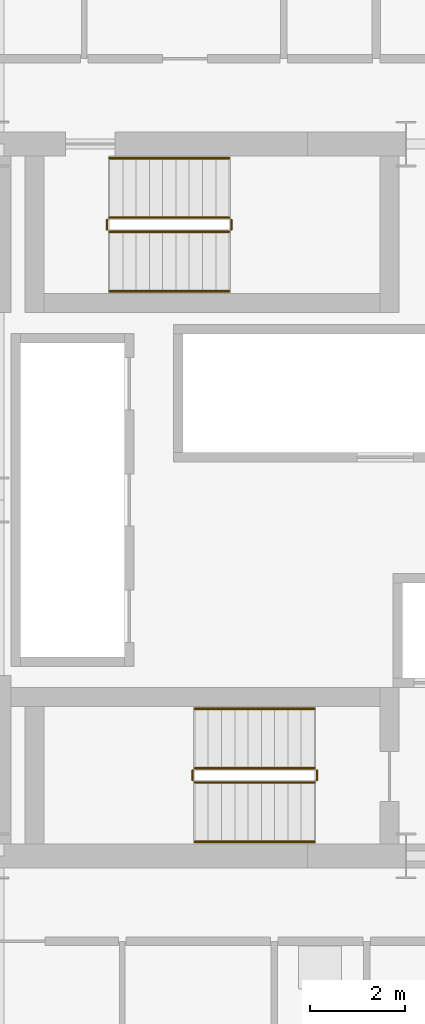
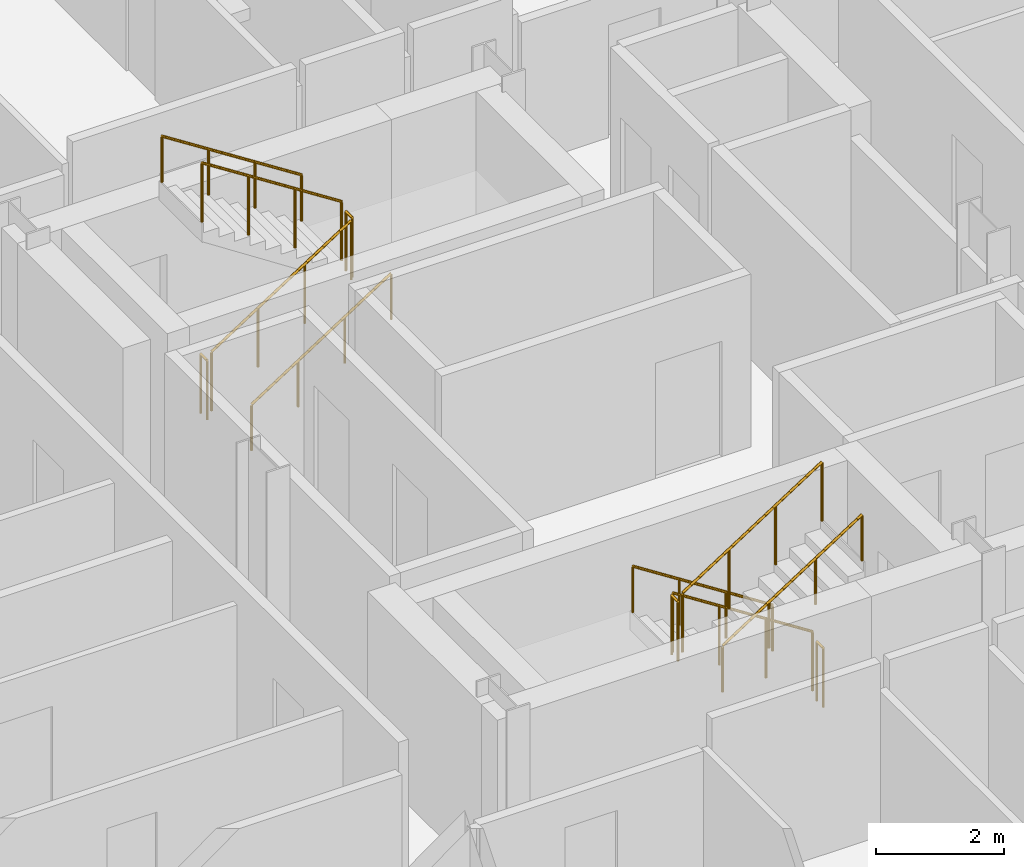
# One storey, part 23 of 24: 12 railings.
"""IFC4 building model written with IfcOpenShell, lengths in metres."""

from ifc_helpers import new_model, si_unit, direction, frame, origin, origin_2d, place, context, subcontext, project, spatial, circle, extrude, material, type_object, element, save


model = new_model("IFC4")

# Units and contexts
model_context = context("Model", 3, precision=1e-05, world=origin(), true_north=direction((0.0, 1.0)))
body_context = subcontext(model_context, "Body", "Model", "MODEL_VIEW")
ifc_project = project(units=[si_unit("LENGTHUNIT", "METRE"), si_unit("AREAUNIT", "SQUARE_METRE"), si_unit("VOLUMEUNIT", "CUBIC_METRE"), si_unit("PLANEANGLEUNIT", "RADIAN"), si_unit("MASSUNIT", "GRAM", prefix="KILO")], contexts=[model_context])

# Site, building, storey
site_placement = place(None, origin())
site = spatial("IfcSite", under=ifc_project, at=site_placement, CompositionType="ELEMENT")
building_placement = place(site_placement, origin())
building = spatial("IfcBuilding", under=site, at=building_placement, Name="Barlavira Tower and Art Museum", CompositionType="ELEMENT")
storey_placement = place(building_placement, frame((0.0, 0.0, 90.0)))
storey = spatial("IfcBuildingStorey", under=building, at=storey_placement, Name="L22", CompositionType="ELEMENT", Elevation=90.0)

# Railings
ifc_material = material(Name="Brushed stainless steel", Category="steel")
railing_type_1 = type_object("IfcRailingType", Name="Interior Void and Landing Guard Railing 1150", PredefinedType="GUARDRAIL", material=ifc_material)
railing_1_placement = place(storey_placement, frame((0.14990234375, -5.64990234375, 0.179931640625)))
element("IfcRailing", 1, at=railing_1_placement, inside=storey, type_object=railing_type_1, Name="L22 ST-T1 stair guard 1", PredefinedType="GUARDRAIL", context=body_context, shape_type="SweptSolid", body=[
    extrude(circle(Radius=0.02392578125, at=origin_2d()), frame((0.0, 0.0, 1.1259765625), z_axis=(-0.841162588446, 0.0, 0.540782303519), x_axis=(0.0, -1.0, 0.0)), (0.0, 0.0, 1.0), 2.995849609375),
    extrude(circle(Radius=0.02099609375, at=origin_2d()), origin(), (0.0, 0.0, 1.0), 1.101806640625),
    extrude(circle(Radius=0.02099609375, at=origin_2d()), frame((-0.840087890625, 0.0, 0.5400390625)), (0.0, 0.0, 1.0), 1.101806640625),
    extrude(circle(Radius=0.02099609375, at=origin_2d()), frame((-1.679931640625, 0.0, 1.080078125)), (0.0, 0.0, 1.0), 1.101806640625),
    extrude(circle(Radius=0.02099609375, at=origin_2d()), frame((-2.52001953125, 0.0, 1.6201171875)), (0.0, 0.0, 1.0), 1.101806640625),
])
railing_2_placement = place(storey_placement, frame((-2.419921875, -5.699951171875, 1.800048828125)))
element("IfcRailing", 2, at=railing_2_placement, inside=storey, type_object=railing_type_1, Name="L22 ST-T1 stair guard 2", PredefinedType="GUARDRAIL", context=body_context, shape_type="SweptSolid", body=[
    extrude(circle(Radius=0.02392578125, at=origin_2d()), frame((0.0, 0.0, 1.1259765625), z_axis=(0.0, -1.0, 0.0), x_axis=(1.0, 0.0, 0.0)), (0.0, 0.0, 1.0), 0.199951171875),
    extrude(circle(Radius=0.02099609375, at=origin_2d()), origin(), (0.0, 0.0, 1.0), 1.101806640625),
    extrude(circle(Radius=0.02099609375, at=origin_2d()), frame((0.0, -0.199951171875, 0.0)), (0.0, 0.0, 1.0), 1.101806640625),
])
railing_3_placement = place(storey_placement, frame((-2.3701171875, -5.949951171875, 1.97998046875)))
element("IfcRailing", 3, at=railing_3_placement, inside=storey, type_object=railing_type_1, Name="L22 ST-T1 stair guard 3", PredefinedType="GUARDRAIL", context=body_context, shape_type="SweptSolid", body=[
    extrude(circle(Radius=0.02392578125, at=origin_2d()), frame((0.0, 0.0, 1.1259765625), z_axis=(0.841162588446, 0.0, 0.540782303519), x_axis=(0.0, 1.0, 0.0)), (0.0, 0.0, 1.0), 2.995849609375),
    extrude(circle(Radius=0.02099609375, at=origin_2d()), origin(), (0.0, 0.0, 1.0), 1.101806640625),
    extrude(circle(Radius=0.02099609375, at=origin_2d()), frame((0.840087890625, 0.0, 0.5400390625)), (0.0, 0.0, 1.0), 1.101806640625),
    extrude(circle(Radius=0.02099609375, at=origin_2d()), frame((1.679931640625, 0.0, 1.080078125)), (0.0, 0.0, 1.0), 1.101806640625),
    extrude(circle(Radius=0.02099609375, at=origin_2d()), frame((2.52001953125, 0.0, 1.6201171875)), (0.0, 0.0, 1.0), 1.101806640625),
])
railing_4_placement = place(storey_placement, frame((0.199951171875, -5.699951171875, 0.0)))
element("IfcRailing", 4, at=railing_4_placement, inside=storey, type_object=railing_type_1, Name="L22 ST-T1 stair guard 4", PredefinedType="GUARDRAIL", context=body_context, shape_type="SweptSolid", body=[
    extrude(circle(Radius=0.02392578125, at=origin_2d()), frame((0.0, 0.0, 1.1259765625), z_axis=(0.0, -1.0, 0.0), x_axis=(1.0, 0.0, 0.0)), (0.0, 0.0, 1.0), 0.199951171875),
    extrude(circle(Radius=0.02099609375, at=origin_2d()), origin(), (0.0, 0.0, 1.0), 1.101806640625),
    extrude(circle(Radius=0.02099609375, at=origin_2d()), frame((0.0, -0.199951171875, 0.0)), (0.0, 0.0, 1.0), 1.101806640625),
])
railing_5_placement = place(storey_placement, frame((-4.169921875, 5.64990234375, 0.179931640625)))
element("IfcRailing", 5, at=railing_5_placement, inside=storey, type_object=railing_type_1, Name="L22 ST-T2 stair guard 1", PredefinedType="GUARDRAIL", context=body_context, shape_type="SweptSolid", body=[
    extrude(circle(Radius=0.02392578125, at=origin_2d()), frame((0.0, 0.0, 1.1259765625), z_axis=(0.841162588446, 0.0, 0.540782303519), x_axis=(0.0, 1.0, 0.0)), (0.0, 0.0, 1.0), 2.995849609375),
    extrude(circle(Radius=0.02099609375, at=origin_2d()), origin(), (0.0, 0.0, 1.0), 1.101806640625),
    extrude(circle(Radius=0.02099609375, at=origin_2d()), frame((0.840087890625, 0.0, 0.5400390625)), (0.0, 0.0, 1.0), 1.101806640625),
    extrude(circle(Radius=0.02099609375, at=origin_2d()), frame((1.679931640625, 0.0, 1.080078125)), (0.0, 0.0, 1.0), 1.101806640625),
    extrude(circle(Radius=0.02099609375, at=origin_2d()), frame((2.52001953125, 0.0, 1.6201171875)), (0.0, 0.0, 1.0), 1.101806640625),
])
railing_6_placement = place(storey_placement, frame((-1.60009765625, 5.699951171875, 1.800048828125)))
element("IfcRailing", 6, at=railing_6_placement, inside=storey, type_object=railing_type_1, Name="L22 ST-T2 stair guard 2", PredefinedType="GUARDRAIL", context=body_context, shape_type="SweptSolid", body=[
    extrude(circle(Radius=0.02392578125, at=origin_2d()), frame((0.0, 0.0, 1.1259765625), z_axis=(0.0, 1.0, 0.0), x_axis=(-1.0, 0.0, 0.0)), (0.0, 0.0, 1.0), 0.199951171875),
    extrude(circle(Radius=0.02099609375, at=origin_2d()), origin(), (0.0, 0.0, 1.0), 1.101806640625),
    extrude(circle(Radius=0.02099609375, at=origin_2d()), frame((0.0, 0.199951171875, 0.0)), (0.0, 0.0, 1.0), 1.101806640625),
])
railing_7_placement = place(storey_placement, frame((-1.64990234375, 5.949951171875, 1.97998046875)))
element("IfcRailing", 7, at=railing_7_placement, inside=storey, type_object=railing_type_1, Name="L22 ST-T2 stair guard 3", PredefinedType="GUARDRAIL", context=body_context, shape_type="SweptSolid", body=[
    extrude(circle(Radius=0.02392578125, at=origin_2d()), frame((0.0, 0.0, 1.1259765625), z_axis=(-0.841162588446, 0.0, 0.540782303519), x_axis=(0.0, -1.0, 0.0)), (0.0, 0.0, 1.0), 2.995849609375),
    extrude(circle(Radius=0.02099609375, at=origin_2d()), origin(), (0.0, 0.0, 1.0), 1.101806640625),
    extrude(circle(Radius=0.02099609375, at=origin_2d()), frame((-0.840087890625, 0.0, 0.5400390625)), (0.0, 0.0, 1.0), 1.101806640625),
    extrude(circle(Radius=0.02099609375, at=origin_2d()), frame((-1.679931640625, 0.0, 1.080078125)), (0.0, 0.0, 1.0), 1.101806640625),
    extrude(circle(Radius=0.02099609375, at=origin_2d()), frame((-2.52001953125, 0.0, 1.6201171875)), (0.0, 0.0, 1.0), 1.101806640625),
])
railing_8_placement = place(storey_placement, frame((-4.219970703125, 5.699951171875, 0.0)))
element("IfcRailing", 8, at=railing_8_placement, inside=storey, type_object=railing_type_1, Name="L22 ST-T2 stair guard 4", PredefinedType="GUARDRAIL", context=body_context, shape_type="SweptSolid", body=[
    extrude(circle(Radius=0.02392578125, at=origin_2d()), frame((0.0, 0.0, 1.1259765625), z_axis=(0.0, 1.0, 0.0), x_axis=(-1.0, 0.0, 0.0)), (0.0, 0.0, 1.0), 0.199951171875),
    extrude(circle(Radius=0.02099609375, at=origin_2d()), origin(), (0.0, 0.0, 1.0), 1.101806640625),
    extrude(circle(Radius=0.02099609375, at=origin_2d()), frame((0.0, 0.199951171875, 0.0)), (0.0, 0.0, 1.0), 1.101806640625),
])
railing_type_2 = type_object("IfcRailingType", Name="Stair Pitch Tubular Steel Handrail 920", PredefinedType="HANDRAIL", material=ifc_material)
railing_9_placement = place(storey_placement, frame((0.14990234375, -4.39990234375, 0.179931640625)))
element("IfcRailing", 9, at=railing_9_placement, inside=storey, type_object=railing_type_2, Name="L22 ST-T1 stair handrail 1", PredefinedType="HANDRAIL", context=body_context, shape_type="SweptSolid", body=[
    extrude(circle(Radius=0.02392578125, at=origin_2d()), frame((0.0, 0.0, 0.8759765625), z_axis=(-0.841162588446, 0.0, 0.540782303519), x_axis=(0.0, -1.0, 0.0)), (0.0, 0.0, 1.0), 2.995849609375),
    extrude(circle(Radius=0.02099609375, at=origin_2d()), origin(), (0.0, 0.0, 1.0), 0.851806640625),
    extrude(circle(Radius=0.02099609375, at=origin_2d()), frame((-0.840087890625, 0.0, 0.5400390625)), (0.0, 0.0, 1.0), 0.851806640625),
    extrude(circle(Radius=0.02099609375, at=origin_2d()), frame((-1.679931640625, 0.0, 1.080078125)), (0.0, 0.0, 1.0), 0.851806640625),
    extrude(circle(Radius=0.02099609375, at=origin_2d()), frame((-2.52001953125, 0.0, 1.6201171875)), (0.0, 0.0, 1.0), 0.851806640625),
])
for number, where, name in (
    (10, (-2.3701171875, -7.199951171875, 1.97998046875), "L22 ST-T1 stair handrail 2"),
    (11, (-4.169921875, 4.39990234375, 0.179931640625), "L22 ST-T2 stair handrail 1"),
):
    element("IfcRailing", number, at=place(storey_placement, frame(where)), inside=storey, type_object=railing_type_2, Name=name, PredefinedType="HANDRAIL", context=body_context, shape_type="SweptSolid", body=[
        extrude(circle(Radius=0.02392578125, at=origin_2d()), frame((0.0, 0.0, 0.8759765625), z_axis=(0.841162588446, 0.0, 0.540782303519), x_axis=(0.0, 1.0, 0.0)), (0.0, 0.0, 1.0), 2.995849609375),
        extrude(circle(Radius=0.02099609375, at=origin_2d()), origin(), (0.0, 0.0, 1.0), 0.851806640625),
        extrude(circle(Radius=0.02099609375, at=origin_2d()), frame((0.840087890625, 0.0, 0.5400390625)), (0.0, 0.0, 1.0), 0.851806640625),
        extrude(circle(Radius=0.02099609375, at=origin_2d()), frame((1.679931640625, 0.0, 1.080078125)), (0.0, 0.0, 1.0), 0.851806640625),
        extrude(circle(Radius=0.02099609375, at=origin_2d()), frame((2.52001953125, 0.0, 1.6201171875)), (0.0, 0.0, 1.0), 0.851806640625),
    ])
railing_10_placement = place(storey_placement, frame((-1.64990234375, 7.199951171875, 1.97998046875)))
element("IfcRailing", 12, at=railing_10_placement, inside=storey, type_object=railing_type_2, Name="L22 ST-T2 stair handrail 2", PredefinedType="HANDRAIL", context=body_context, shape_type="SweptSolid", body=[
    extrude(circle(Radius=0.02392578125, at=origin_2d()), frame((0.0, 0.0, 0.8759765625), z_axis=(-0.841162588446, 0.0, 0.540782303519), x_axis=(0.0, -1.0, 0.0)), (0.0, 0.0, 1.0), 2.995849609375),
    extrude(circle(Radius=0.02099609375, at=origin_2d()), origin(), (0.0, 0.0, 1.0), 0.851806640625),
    extrude(circle(Radius=0.02099609375, at=origin_2d()), frame((-0.840087890625, 0.0, 0.5400390625)), (0.0, 0.0, 1.0), 0.851806640625),
    extrude(circle(Radius=0.02099609375, at=origin_2d()), frame((-1.679931640625, 0.0, 1.080078125)), (0.0, 0.0, 1.0), 0.851806640625),
    extrude(circle(Radius=0.02099609375, at=origin_2d()), frame((-2.52001953125, 0.0, 1.6201171875)), (0.0, 0.0, 1.0), 0.851806640625),
])

save(model, "model.ifc")
